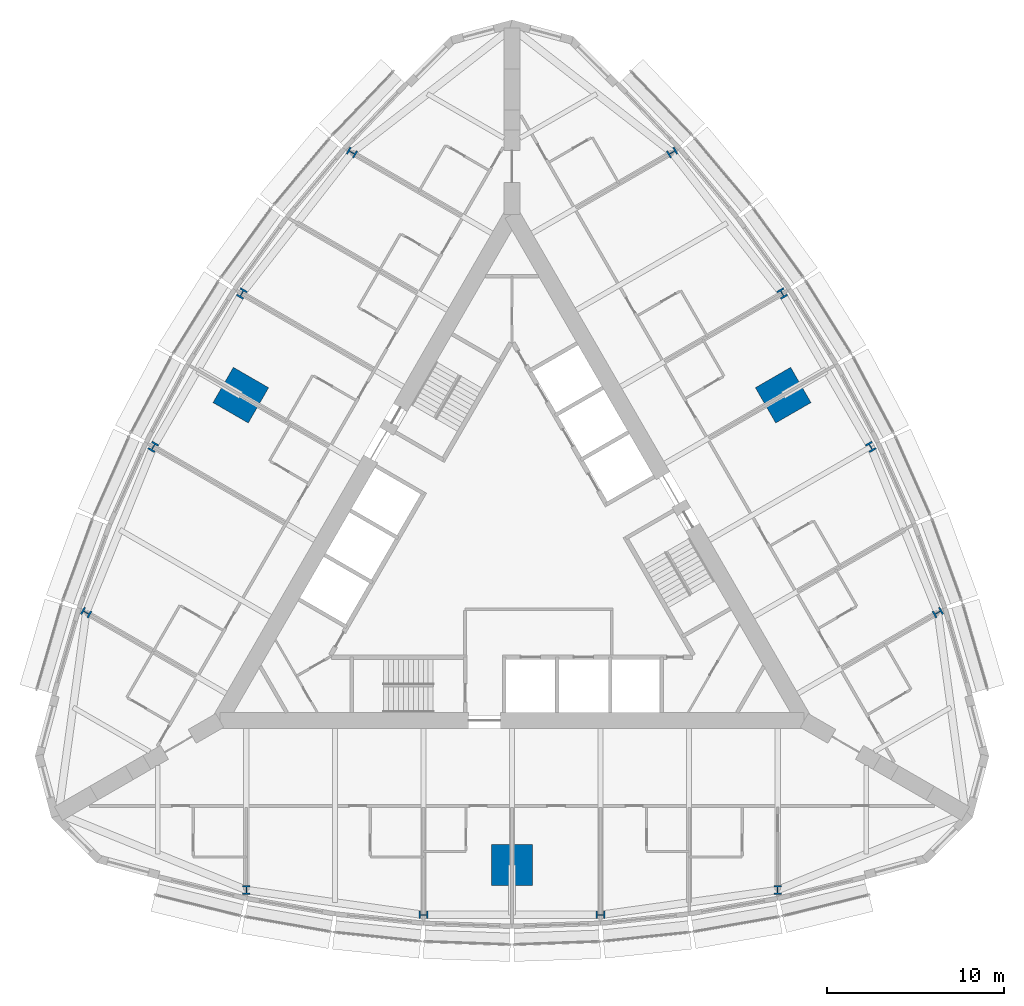
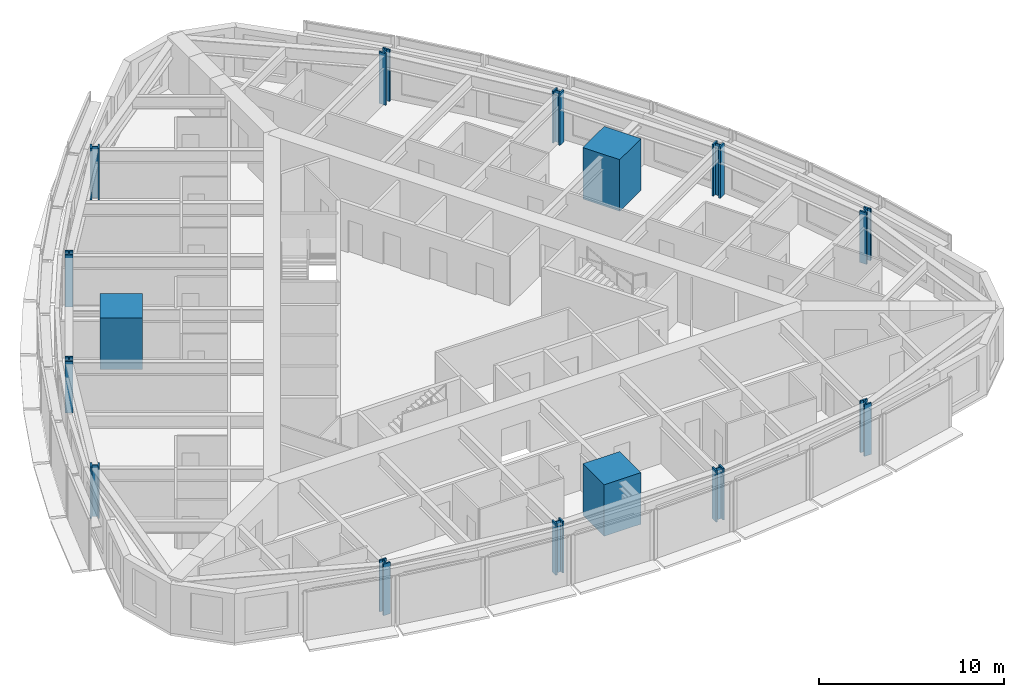
# One storey, part 1 of 14: 15 columns.
"""IFC4 building model written with IfcOpenShell, lengths in metres."""

from ifc_helpers import new_model, si_unit, direction, frame, origin, origin_2d, place, context, subcontext, project, spatial, rectangle, i_section, extrude, material, material_profile, profile_set, type_object, element, save


model = new_model("IFC4")

# Units and contexts
model_context = context("Model", 3, precision=1e-05, world=origin(), true_north=direction((0.0, 1.0)))
body_context = subcontext(model_context, "Body", "Model", "MODEL_VIEW")
ifc_project = project(units=[si_unit("LENGTHUNIT", "METRE"), si_unit("AREAUNIT", "SQUARE_METRE"), si_unit("VOLUMEUNIT", "CUBIC_METRE"), si_unit("PLANEANGLEUNIT", "RADIAN"), si_unit("MASSUNIT", "GRAM", prefix="KILO")], contexts=[model_context])

# Site, building, storey
site_placement = place(None, origin())
site = spatial("IfcSite", under=ifc_project, at=site_placement, CompositionType="ELEMENT")
building_placement = place(site_placement, origin())
building = spatial("IfcBuilding", under=site, at=building_placement, Name="Trikona Tower", CompositionType="ELEMENT")
storey_placement = place(building_placement, frame((0.0, 0.0, 124.89990234375)))
storey = spatial("IfcBuildingStorey", under=building, at=storey_placement, Name="L32", CompositionType="ELEMENT", Elevation=124.89990234375)

# Columns
ifc_material_1 = material(Name="Concrete f'c 10000 psi with encased steel section", Category="concrete")
ifc_material_profile_1 = material_profile(ifc_material_1, rectangle(XDim=2.300048828125, YDim=2.300048828125, at=origin_2d()), Name="MC2300")
ifc_profile_set_1 = profile_set([ifc_material_profile_1], Name="Concrete f'c 10000 psi with encased steel section")
column_type_1 = type_object("IfcColumnType", Name="Composite mega column 2300x2300", PredefinedType="COLUMN", material=ifc_profile_set_1)
for number, where, z_axis, x_axis, name in (
    (1, (0.0, -17.680419921875, 0.0), (0.0, 0.0, 1.0), (0.0, -1.0, 0.0), "Mega column MC1"),
    (2, (15.311767578125, 8.84033203125, 0.0), (0.0, 0.0, 1.0), (0.866025403784, 0.5, 0.0), "Mega column MC2"),
    (3, (-15.311767578125, 8.84033203125, 0.0), (0.0, 0.0, 1.0), (-0.866025403784, 0.5, 0.0), "Mega column MC3"),
):
    element("IfcColumn", number, at=place(storey_placement, frame(where, z_axis=z_axis, x_axis=x_axis)), inside=storey, type_object=column_type_1, Name=name, PredefinedType="COLUMN", context=body_context, shape_type="SweptSolid", body=[
        extrude(rectangle(XDim=2.300048828125, YDim=2.300048828125, at=origin_2d()), origin(), (0.0, 0.0, 1.0), 3.400146484375),
    ])
ifc_material_2 = material(Name="Steel ASTM A992 Grade 50", Category="steel")
ifc_material_profile_2 = material_profile(ifc_material_2, i_section(OverallWidth=0.436767578125, OverallDepth=0.51318359375, WebThickness=0.060546875, FlangeThickness=0.096923828125, at=origin_2d()), Name="W14X550")
ifc_profile_set_2 = profile_set([ifc_material_profile_2], Name="Steel ASTM A992 Grade 50")
column_type_2 = type_object("IfcColumnType", Name="Steel column W14x550", PredefinedType="COLUMN", material=ifc_profile_set_2)
for number, where, z_axis, x_axis, name in (
    (4, (-15.0, -19.10009765625, 0.0), (0.0, 0.0, 1.0), (1.0, 0.0, 0.0), "Column F0m15"),
    (5, (-5.0, -20.500244140625, 0.0), (0.0, 0.0, 1.0), (0.0, -1.0, 0.0), "Column F0m5"),
    (6, (5.0, -20.500244140625, 0.0), (0.0, 0.0, 1.0), (0.0, -1.0, 0.0), "Column F0p5"),
    (7, (15.0, -19.10009765625, 0.0), (0.0, 0.0, 1.0), (1.0, 0.0, 0.0), "Column F0p15"),
    (8, (24.041259765625, -3.440185546875, 0.0), (0.0, 0.0, 1.0), (-0.5, 0.866025403784, 0.0), "Column F1m15"),
    (9, (20.253662109375, 5.919921875, 0.0), (0.0, 0.0, 1.0), (0.866025403784, 0.5, 0.0), "Column F1m5"),
    (10, (15.253662109375, 14.580078125, 0.0), (0.0, 0.0, 1.0), (0.866025403784, 0.5, 0.0), "Column F1p5"),
    (11, (9.041259765625, 22.54052734375, 0.0), (0.0, 0.0, 1.0), (-0.5, 0.866025403784, 0.0), "Column F1p15"),
    (12, (-9.041259765625, 22.54052734375, 0.0), (0.0, 0.0, 1.0), (-0.5, -0.866025403784, 0.0), "Column F2m15"),
    (13, (-15.253662109375, 14.580078125, 0.0), (0.0, 0.0, 1.0), (-0.866025403784, 0.5, 0.0), "Column F2m5"),
    (14, (-20.253662109375, 5.919921875, 0.0), (0.0, 0.0, 1.0), (-0.866025403784, 0.5, 0.0), "Column F2p5"),
    (15, (-24.041259765625, -3.440185546875, 0.0), (0.0, 0.0, 1.0), (-0.5, -0.866025403784, 0.0), "Column F2p15"),
):
    element("IfcColumn", number, at=place(storey_placement, frame(where, z_axis=z_axis, x_axis=x_axis)), inside=storey, type_object=column_type_2, Name=name, PredefinedType="COLUMN", context=body_context, shape_type="SweptSolid", body=[
        extrude(i_section(OverallWidth=0.436767578125, OverallDepth=0.51318359375, WebThickness=0.060546875, FlangeThickness=0.096923828125, at=origin_2d()), origin(), (0.0, 0.0, 1.0), 3.400146484375),
    ])

save(model, "model.ifc")
